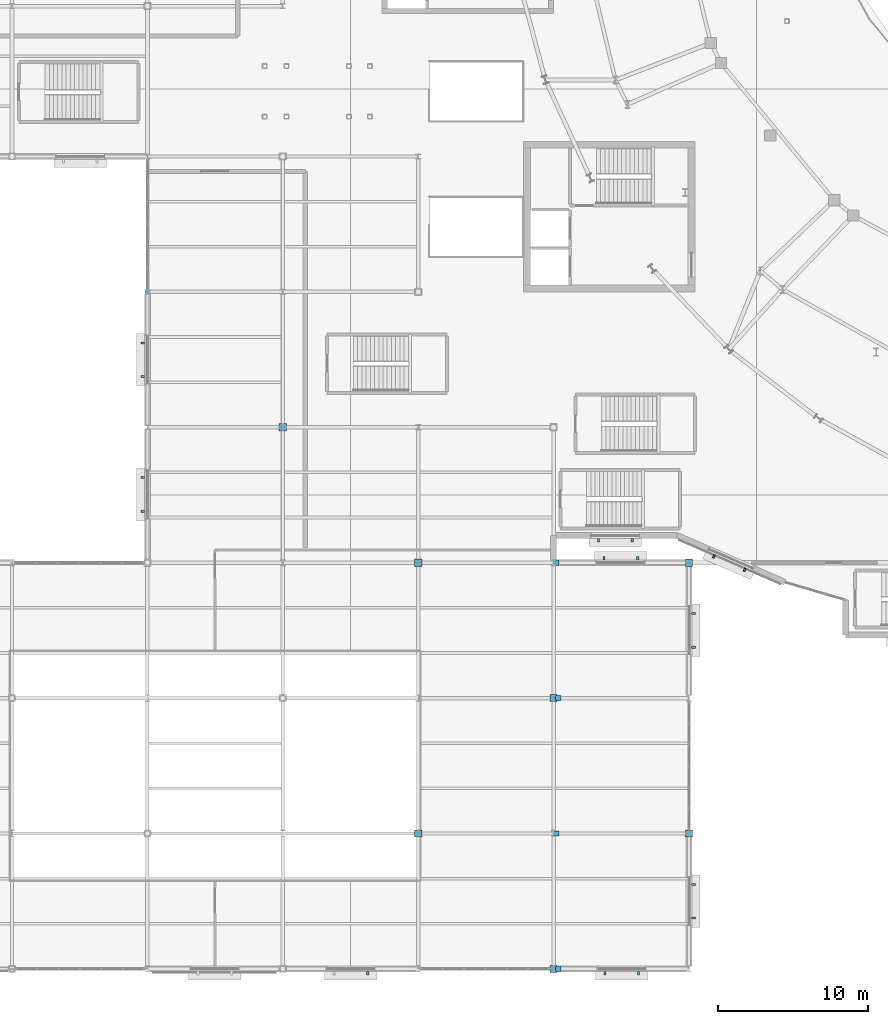
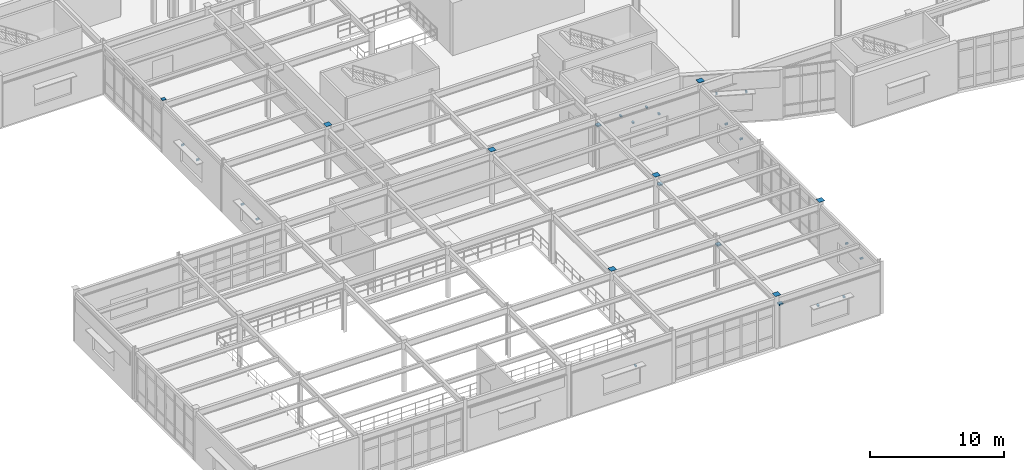
# One storey, part 70 of 86: 29 discrete accessories.
"""IFC4 building model written with IfcOpenShell, lengths in metres."""

from ifc_helpers import new_model, si_unit, direction, frame, origin, origin_2d, place, context, subcontext, project, spatial, rectangle, extrude, material, type_object, element, save


model = new_model("IFC4")

# Units and contexts
model_context = context("Model", 3, precision=1e-05, world=origin(), true_north=direction((0.0, 1.0)))
body_context = subcontext(model_context, "Body", "Model", "MODEL_VIEW")
ifc_project = project(units=[si_unit("LENGTHUNIT", "METRE"), si_unit("AREAUNIT", "SQUARE_METRE"), si_unit("VOLUMEUNIT", "CUBIC_METRE"), si_unit("PLANEANGLEUNIT", "RADIAN"), si_unit("MASSUNIT", "GRAM", prefix="KILO")], contexts=[model_context])

# Site, building, storey
site_placement = place(None, origin())
site = spatial("IfcSite", under=ifc_project, at=site_placement, CompositionType="ELEMENT")
building_placement = place(site_placement, origin())
building = spatial("IfcBuilding", under=site, at=building_placement, Name="Glasvene Arena", CompositionType="ELEMENT")
storey_placement = place(building_placement, frame((0.0, 0.0, 5.39990234375)))
storey = spatial("IfcBuildingStorey", under=building, at=storey_placement, Name="L01", CompositionType="ELEMENT", Elevation=5.39990234375)

# Discrete accessories
ifc_material_1 = material(Name="Steel S355J2", Category="steel")
discrete_accessory_type_1 = type_object("IfcDiscreteAccessoryType", Name="ACC-BRG-MJ1", PredefinedType="SHOE", material=ifc_material_1)
for number, where, z_axis, x_axis, name in (
    (1, (45.318115234375, 0.0, 3.79736328125), (0.0, 0.0, 1.0), (1.0, 0.0, 0.0), "Movement joint MJ-1 unguided sliding bearing BRG-MJ1 L01-0527"),
    (2, (45.169921875, 9.0, 3.79736328125), (0.0, 0.0, 1.0), (1.0, 0.0, 0.0), "Movement joint MJ-1 unguided sliding bearing BRG-MJ1 L01-0533"),
    (3, (45.318115234375, 18.0, 3.79736328125), (0.0, 0.0, 1.0), (1.0, 0.0, 0.0), "Movement joint MJ-1 unguided sliding bearing BRG-MJ1 L01-0539"),
    (4, (45.169921875, 27.0, 3.79736328125), (0.0, 0.0, 1.0), (1.0, 0.0, 0.0), "Movement joint MJ-1 unguided sliding bearing BRG-MJ1 L01-0545"),
):
    element("IfcDiscreteAccessory", number, at=place(storey_placement, frame(where, z_axis=z_axis, x_axis=x_axis)), inside=storey, type_object=discrete_accessory_type_1, Name=name, PredefinedType="SHOE", context=body_context, shape_type="SweptSolid", body=[
        extrude(rectangle(XDim=0.35009765625, YDim=0.35009765625, at=origin_2d()), origin(), (0.0, 0.0, 1.0), 0.1201171875),
    ])
discrete_accessory_type_2 = type_object("IfcDiscreteAccessoryType", Name="ACC-CAP-CHS420", PredefinedType="USERDEFINED", material=ifc_material_1)
for number, where, z_axis, x_axis, name in (
    (5, (27.0, 36.0, 4.798095703125), (0.0, 0.0, 1.0), (1.0, 0.0, 0.0), "Hollow column top cap plate 4-5 L01"),
    (6, (36.0, 9.0, 4.798095703125), (0.0, 0.0, 1.0), (1.0, 0.0, 0.0), "Hollow column top cap plate 5-2 L01"),
    (7, (36.0, 27.0, 4.798095703125), (0.0, 0.0, 1.0), (1.0, 0.0, 0.0), "Hollow column top cap plate 5-4 L01"),
    (8, (45.0, 0.0, 4.798095703125), (0.0, 0.0, 1.0), (1.0, 0.0, 0.0), "Hollow column top cap plate 6-1 L01"),
    (9, (45.0, 18.0, 4.798095703125), (0.0, 0.0, 1.0), (1.0, 0.0, 0.0), "Hollow column top cap plate 6-3 L01"),
    (10, (54.0, 9.0, 4.798095703125), (0.0, 0.0, 1.0), (1.0, 0.0, 0.0), "Hollow column top cap plate 7-2 L01"),
    (11, (54.0, 27.0, 4.798095703125), (0.0, 0.0, 1.0), (1.0, 0.0, 0.0), "Hollow column top cap plate 7-4 L01"),
):
    element("IfcDiscreteAccessory", number, at=place(storey_placement, frame(where, z_axis=z_axis, x_axis=x_axis)), inside=storey, type_object=discrete_accessory_type_2, Name=name, ObjectType="CAP PLATE", PredefinedType="USERDEFINED", context=body_context, shape_type="SweptSolid", body=[
        extrude(rectangle(XDim=0.47998046875, YDim=0.47998046875, at=origin_2d()), origin(), (0.0, 0.0, 1.0), 0.02001953125),
    ])
discrete_accessory_type_3 = type_object("IfcDiscreteAccessoryType", Name="ACC-CAP-SHS320", PredefinedType="USERDEFINED", material=ifc_material_1)
discrete_accessory_placement = place(storey_placement, frame((18.0, 45.0, 4.798095703125), z_axis=(0.0, 0.0, 1.0), x_axis=(1.0, 0.0, 0.0)))
element("IfcDiscreteAccessory", 12, at=discrete_accessory_placement, inside=storey, type_object=discrete_accessory_type_3, Name="Hollow column top cap plate 3-6 L01", ObjectType="CAP PLATE", PredefinedType="USERDEFINED", context=body_context, shape_type="SweptSolid", body=[
    extrude(rectangle(XDim=0.320068359375, YDim=0.320068359375, at=origin_2d()), origin(), (0.0, 0.0, 1.0), 0.02001953125),
])
ifc_material_2 = material(Name="Warm bronze architectural aluminium", Category="aluminium")
discrete_accessory_type_4 = type_object("IfcDiscreteAccessoryType", Name="ACC-FIN-BRK", PredefinedType="BRACKET", material=ifc_material_2)
for number, where, z_axis, x_axis, name in (
    (13, (57.706298828125, 26.525390625, 2.72021484375), (0.0, 0.0, 1.0), (-0.917407699357, 0.397948631308, 0.0), "Brise-soleil wall bracket BK-025"),
    (14, (55.651123046875, 27.41650390625, 2.72021484375), (0.0, 0.0, 1.0), (-0.917407699357, 0.397948631308, 0.0), "Brise-soleil wall bracket BK-025"),
    (15, (50.2275390625, 28.5, 2.72021484375), (0.0, 0.0, 1.0), (-1.0, 0.0, 0.0), "Brise-soleil wall bracket BK-026"),
    (16, (47.987548828125, 28.5, 2.72021484375), (0.0, 0.0, 1.0), (-1.0, 0.0, 0.0), "Brise-soleil wall bracket BK-026"),
    (17, (48.353515625, 27.300048828125, 2.72021484375), (0.0, 0.0, 1.0), (1.0, 0.0, 0.0), "Brise-soleil wall bracket BK-027"),
    (18, (50.593505859375, 27.300048828125, 2.72021484375), (0.0, 0.0, 1.0), (1.0, 0.0, 0.0), "Brise-soleil wall bracket BK-027"),
    (19, (54.300048828125, 23.618408203125, 2.72021484375), (0.0, 0.0, 1.0), (0.0, -1.0, 0.0), "Brise-soleil wall bracket BK-028"),
    (20, (54.300048828125, 21.37841796875, 2.72021484375), (0.0, 0.0, 1.0), (0.0, -1.0, 0.0), "Brise-soleil wall bracket BK-028"),
    (21, (54.300048828125, 5.618408203125, 2.72021484375), (0.0, 0.0, 1.0), (0.0, -1.0, 0.0), "Brise-soleil wall bracket BK-029"),
    (22, (54.300048828125, 3.37841796875, 2.72021484375), (0.0, 0.0, 1.0), (0.0, -1.0, 0.0), "Brise-soleil wall bracket BK-029"),
    (23, (50.646484375, -0.300048828125, 2.72021484375), (0.0, 0.0, 1.0), (-1.0, 0.0, 0.0), "Brise-soleil wall bracket BK-030"),
    (24, (48.406494140625, -0.300048828125, 2.72021484375), (0.0, 0.0, 1.0), (-1.0, 0.0, 0.0), "Brise-soleil wall bracket BK-030"),
    (25, (32.646484375, -0.300048828125, 2.72021484375), (0.0, 0.0, 1.0), (-1.0, 0.0, 0.0), "Brise-soleil wall bracket BK-031"),
    (26, (17.699951171875, 30.41650390625, 2.72021484375), (0.0, 0.0, 1.0), (0.0, 1.0, 0.0), "Brise-soleil wall bracket BK-036"),
    (27, (17.699951171875, 32.656494140625, 2.72021484375), (0.0, 0.0, 1.0), (0.0, 1.0, 0.0), "Brise-soleil wall bracket BK-036"),
    (28, (17.699951171875, 39.3701171875, 2.72021484375), (0.0, 0.0, 1.0), (0.0, 1.0, 0.0), "Brise-soleil wall bracket BK-037"),
    (29, (17.699951171875, 41.610107421875, 2.72021484375), (0.0, 0.0, 1.0), (0.0, 1.0, 0.0), "Brise-soleil wall bracket BK-037"),
):
    element("IfcDiscreteAccessory", number, at=place(storey_placement, frame(where, z_axis=z_axis, x_axis=x_axis)), inside=storey, type_object=discrete_accessory_type_4, Name=name, PredefinedType="BRACKET", context=body_context, shape_type="SweptSolid", body=[
        extrude(rectangle(XDim=0.139892578125, YDim=0.239990234375, at=origin_2d()), origin(), (0.0, 0.0, 1.0), 0.139892578125),
    ])

save(model, "model.ifc")
